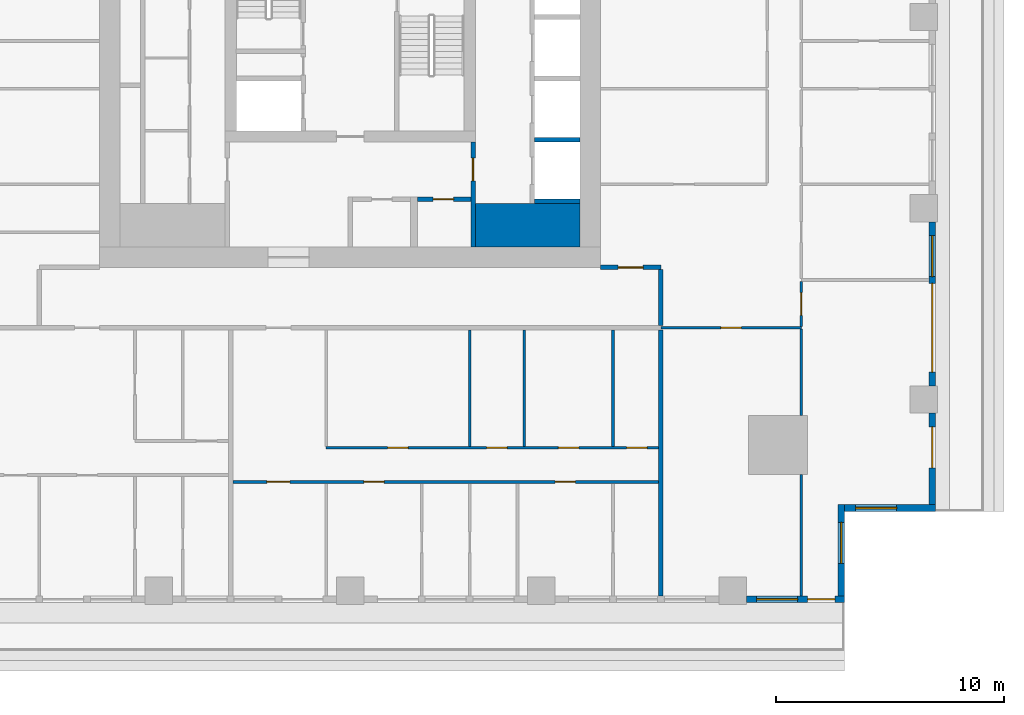
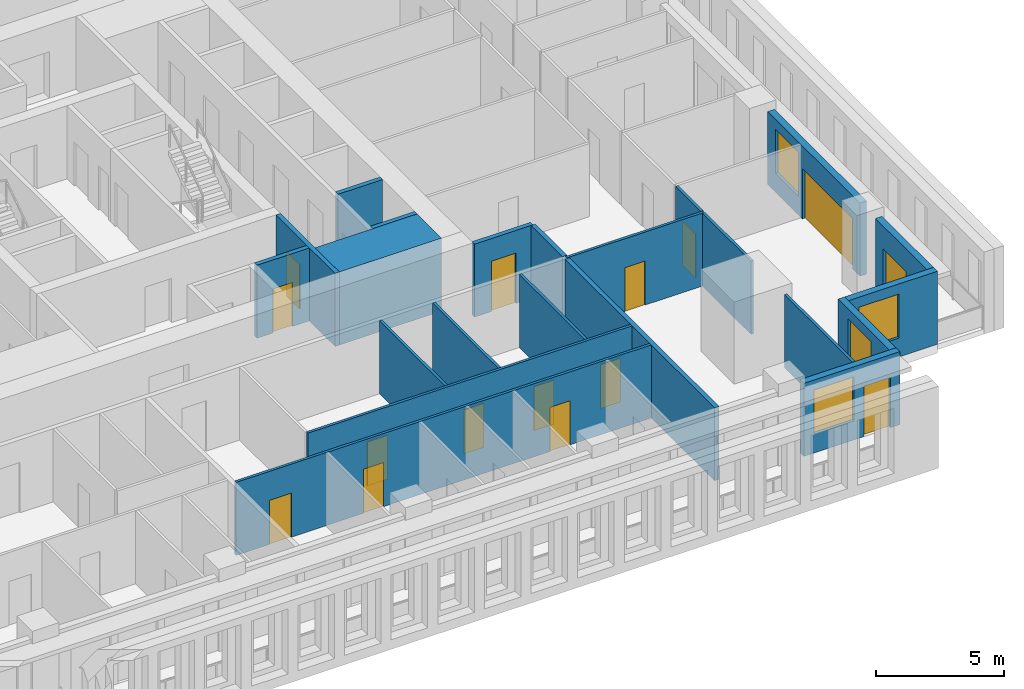
# One storey, part 5 of 16: 22 walls, 15 doors, 4 windows, 19 openings.
"""IFC4 building model written with IfcOpenShell, lengths in metres."""

import ifcopenshell
import ifcopenshell.guid

model = None  # the IFC model being written
_history = None  # IfcOwnerHistory: only IFC2X3 demands one
_inside = {}  # id of a spatial element -> (the spatial element, [elements in it])
_under = {}  # id of a project, library or spatial element -> (it, [spatial elements below it])
_declared = {}  # id of a project -> (the project, [libraries it declares])
_typed = {}  # id of a type object -> (the type object, [elements of that type])
_made_of = {}  # id of a material, layer set ... -> (it, [elements and type objects made of it])


def new_model(schema):
    """Start an empty IFC model of exactly this schema.

    Asked for "IFC4X3", IfcOpenShell would pick the latest addendum, in which some entities
    have other attributes; the version numbers below select the first issue.
    IFC2X3 requires an IfcOwnerHistory on every rooted entity: one is made here for all.
    """
    global model, _history
    if schema == "IFC4X3":
        model = ifcopenshell.file(schema_version=(4, 3, 0, 0))
    else:
        model = ifcopenshell.file(schema=schema)
    _inside.clear()
    _under.clear()
    _declared.clear()
    _typed.clear()
    _made_of.clear()
    _history = None
    if model.schema == "IFC2X3":
        org = make("IfcOrganization", Name="unknown")
        user = make(
            "IfcPersonAndOrganization",
            ThePerson=make("IfcPerson", FamilyName="unknown"),
            TheOrganization=org,
        )
        app = make(
            "IfcApplication",
            ApplicationDeveloper=org,
            Version="unknown",
            ApplicationFullName="unknown",
            ApplicationIdentifier="unknown",
        )
        _history = make(
            "IfcOwnerHistory",
            OwningUser=user,
            OwningApplication=app,
            ChangeAction="ADDED",
            CreationDate=0,
        )
    return model


def make(cls, **values):
    """One entity of the class cls with the attributes given. An attribute that is None is left unset."""
    return model.create_entity(
        cls, **{name: value for name, value in values.items() if value is not None}
    )


def rooted(cls, **values):
    """An entity with a GlobalId (a new one), such as an element, a storey or a relation."""
    return make(cls, GlobalId=ifcopenshell.guid.new(), OwnerHistory=_history, **values)


def si_unit(unit_type, name, prefix=None):
    """IfcSIUnit, for example si_unit("LENGTHUNIT", "METRE", prefix="MILLI")."""
    return make("IfcSIUnit", UnitType=unit_type, Prefix=prefix, Name=name)


def assignment(units):
    """IfcUnitAssignment: the units of a project."""
    return None if units is None else make("IfcUnitAssignment", Units=units)


def point(xyz):
    """IfcCartesianPoint."""
    return None if xyz is None else make("IfcCartesianPoint", Coordinates=xyz)


def direction(xyz):
    """IfcDirection."""
    return None if xyz is None else make("IfcDirection", DirectionRatios=xyz)


def frame(location, z_axis=None, x_axis=None):
    """IfcAxis2Placement3D, a coordinate frame: its origin and axes. An axis left out is left unset."""
    return make(
        "IfcAxis2Placement3D",
        Location=point(location),
        Axis=direction(z_axis),
        RefDirection=direction(x_axis),
    )


def frame_2d(location, x_axis=None):
    """IfcAxis2Placement2D, a coordinate frame in the plane: its origin and x axis."""
    return make(
        "IfcAxis2Placement2D", Location=point(location), RefDirection=direction(x_axis)
    )


def origin():
    """The frame at (0, 0, 0) with its axes left unset."""
    return frame((0.0, 0.0, 0.0))


def place(relative_to, where):
    """IfcLocalPlacement: puts the frame where relative to a parent placement (None: the world)."""
    return make(
        "IfcLocalPlacement", PlacementRelTo=relative_to, RelativePlacement=where
    )


def context(
    kind, dimensions, precision=None, world=None, true_north=None, identifier=None
):
    """IfcGeometricRepresentationContext, for example the 3D "Model" context."""
    return make(
        "IfcGeometricRepresentationContext",
        ContextIdentifier=identifier,
        ContextType=kind,
        CoordinateSpaceDimension=dimensions,
        Precision=precision,
        WorldCoordinateSystem=world,
        TrueNorth=true_north,
    )


def subcontext(parent, identifier, kind, view, scale=None):
    """IfcGeometricRepresentationSubContext, for example "Body" below "Model"."""
    return make(
        "IfcGeometricRepresentationSubContext",
        ContextIdentifier=identifier,
        ContextType=kind,
        ParentContext=parent,
        TargetScale=scale,
        TargetView=view,
    )


def project(units=None, contexts=None):
    """IfcProject with its units and contexts."""
    return rooted(
        "IfcProject",
        Name="project",
        RepresentationContexts=contexts,
        UnitsInContext=assignment(units),
    )


def spatial(cls, under=None, at=None, **own):
    """A site, building, storey or space (cls), placed at a placement, below another one or the project."""
    s = rooted(cls, ObjectPlacement=at, **own)
    if under is not None:
        _under.setdefault(under.id(), (under, []))[1].append(s)
    return s


def profile(cls, at=None, kind="AREA", **sizes):
    """A parametric profile (cls). Its sizes go by their IFC names, for example OverallWidth=200.0."""
    return make(cls, ProfileType=kind, Position=at, **sizes)


def rectangle(**sizes):
    """IfcRectangleProfileDef."""
    return profile("IfcRectangleProfileDef", **sizes)


def extrude(swept, where, along, depth):
    """IfcExtrudedAreaSolid: the profile swept, set in the frame where, extruded along a direction by depth."""
    return make(
        "IfcExtrudedAreaSolid",
        SweptArea=swept,
        Position=where,
        ExtrudedDirection=direction(along),
        Depth=depth,
    )


def shape(context_of_items, identifier, shape_type, items):
    """IfcShapeRepresentation: the items that make up one representation, for example the "Body"."""
    return make(
        "IfcShapeRepresentation",
        ContextOfItems=context_of_items,
        RepresentationIdentifier=identifier,
        RepresentationType=shape_type,
        Items=items,
    )


def material(Name=None, Category=None):
    """IfcMaterial."""
    return make("IfcMaterial", Name=Name, Category=Category)


def layer(
    of_material, thickness, ventilated=None, Name=None, Category=None, Priority=None
):
    """IfcMaterialLayer: one layer of a wall or slab, of a material (None: an air gap)."""
    return make(
        "IfcMaterialLayer",
        Material=of_material,
        LayerThickness=thickness,
        IsVentilated=ventilated,
        Name=Name,
        Category=Category,
        Priority=Priority,
    )


def layer_set(layers, Name=None):
    """IfcMaterialLayerSet."""
    return make("IfcMaterialLayerSet", MaterialLayers=layers, LayerSetName=Name)


def made_of(thing, what):
    """Note that an element or type object is made of a material, layer set ...; save() writes the relation."""
    if what is not None:
        _made_of.setdefault(what.id(), (what, []))[1].append(thing)
    return thing


def type_object(cls, material=None, **own):
    """A type object (cls), such as IfcWallType, which elements share."""
    return made_of(rooted(cls, **own), material)


def element(
    cls,
    number,
    at=None,
    inside=None,
    cuts=None,
    type_object=None,
    material=None,
    context=None,
    identifier="Body",
    shape_type=None,
    held_by="IfcProductDefinitionShape",
    body=None,
    shapes=None,
    **own,
):
    """One element of the class cls, such as IfcWall. Its Tag is "e" and its number.

    at: its placement. inside: the storey or other place that contains it. cuts: it is an
    opening in that element (IfcRelVoidsElement). A single representation is given by context,
    identifier, shape_type and body (its items); several are given by shapes. held_by: the class
    of the entity that holds the representations. save() writes the other relations.
    """
    e = rooted(cls, Tag="e%d" % number, ObjectPlacement=at, **own)
    if body is not None:
        shapes = [shape(context, identifier, shape_type, body)]
    if shapes is not None:
        e.Representation = make(held_by, Representations=shapes)
    if inside is not None:
        _inside.setdefault(inside.id(), (inside, []))[1].append(e)
    if cuts is not None:
        rooted(
            "IfcRelVoidsElement", RelatingBuildingElement=cuts, RelatedOpeningElement=e
        )
    if type_object is not None:
        _typed.setdefault(type_object.id(), (type_object, []))[1].append(e)
    return made_of(e, material)


def fill(opening, filler):
    """IfcRelFillsElement: the door or window that sits in an opening."""
    return rooted(
        "IfcRelFillsElement",
        RelatingOpeningElement=opening,
        RelatedBuildingElement=filler,
    )


def aggregate(whole, parts):
    """IfcRelAggregates: a whole, such as a stair, and the parts it consists of."""
    return rooted("IfcRelAggregates", RelatingObject=whole, RelatedObjects=parts)


def save(model, path):
    """Write the relations noted so far, then the file.

    IfcRelAggregates (storeys below a building ...), IfcRelContainedInSpatialStructure (elements
    in a storey), IfcRelDefinesByType, IfcRelAssociatesMaterial and IfcRelDeclares: one each for
    every whole, place, type object, material and project.
    """
    for whole, parts in _under.values():
        aggregate(whole, parts)
    for where, things in _inside.values():
        rooted(
            "IfcRelContainedInSpatialStructure",
            RelatedElements=things,
            RelatingStructure=where,
        )
    for kind, things in _typed.values():
        rooted("IfcRelDefinesByType", RelatedObjects=things, RelatingType=kind)
    for what, things in _made_of.values():
        rooted("IfcRelAssociatesMaterial", RelatedObjects=things, RelatingMaterial=what)
    for by, libraries in _declared.values():
        rooted("IfcRelDeclares", RelatingContext=by, RelatedDefinitions=libraries)
    model.write(path)


model = new_model("IFC4")

# Units and contexts
model_context = context("Model", 3, precision=1e-05, world=origin(), true_north=direction((0.0, 1.0)))
body_context = subcontext(model_context, "Body", "Model", "MODEL_VIEW")
ifc_project = project(units=[si_unit("LENGTHUNIT", "METRE"), si_unit("AREAUNIT", "SQUARE_METRE"), si_unit("VOLUMEUNIT", "CUBIC_METRE"), si_unit("PLANEANGLEUNIT", "RADIAN"), si_unit("MASSUNIT", "GRAM", prefix="KILO")], contexts=[model_context])

# Site, building, storey
site_placement = place(None, origin())
site = spatial("IfcSite", under=ifc_project, at=site_placement, CompositionType="ELEMENT")
building_placement = place(site_placement, origin())
building = spatial("IfcBuilding", under=site, at=building_placement, Name="Khepri Terraces", CompositionType="ELEMENT")
storey_placement = place(building_placement, frame((0.0, 0.0, 168.89990234375)))
storey = spatial("IfcBuildingStorey", under=building, at=storey_placement, Name="L40", CompositionType="ELEMENT", Elevation=168.89990234375)

# Walls
ifc_material_1 = material(Name="Concrete C60/75", Category="concrete")
ifc_layer_1 = layer(ifc_material_1, 1.89990234375, Name="Concrete C60/75", Category="concrete")
ifc_layer_set_1 = layer_set([ifc_layer_1], Name="Concrete C60/75")
wall_type_1 = type_object("IfcWallType", Name="Core wall 1900 C60/75", PredefinedType="SHEAR", material=ifc_layer_set_1)
wall_1_placement = place(storey_placement, frame((5.5, -9.14990234375, 0.0), z_axis=(0.0, 0.0, 1.0), x_axis=(1.0, 0.0, 0.0)))
element("IfcWall", 1, at=wall_1_placement, inside=storey, type_object=wall_type_1, Name="Core wall PR02 L40", PredefinedType="SHEAR", context=body_context, shape_type="SweptSolid", body=[
    extrude(rectangle(XDim=4.60009765625, YDim=1.89990234375, at=frame_2d((2.300048828125, 0.0))), origin(), (0.0, 0.0, 1.0), 3.47998046875),
])
ifc_layer_2 = layer(ifc_material_1, 0.199951171875, Name="Concrete C60/75", Category="concrete")
ifc_layer_set_2 = layer_set([ifc_layer_2], Name="Concrete C60/75")
wall_type_2 = type_object("IfcWallType", Name="Core wall 200 C60/75", PredefinedType="SHEAR", material=ifc_layer_set_2)
for number, where, z_axis, x_axis, name in (
    (2, (8.10009765625, -8.10009765625, 0.0), (0.0, 0.0, 1.0), (1.0, 0.0, 0.0), "Core wall SH03 L40"),
    (3, (8.10009765625, -5.39990234375, 0.0), (0.0, 0.0, 1.0), (1.0, 0.0, 0.0), "Core wall SH04 L40"),
):
    element("IfcWall", number, at=place(storey_placement, frame(where, z_axis=z_axis, x_axis=x_axis)), inside=storey, type_object=wall_type_2, Name=name, PredefinedType="SHEAR", context=body_context, shape_type="SweptSolid", body=[
        extrude(rectangle(XDim=2.0, YDim=0.199951171875, at=frame_2d((1.0, 0.0))), origin(), (0.0, 0.0, 1.0), 3.47998046875),
    ])

# Wall, opening, door
ifc_material_2 = material(Name="Fire-rated gypsum board partition")
ifc_layer_3 = layer(ifc_material_2, 0.199951171875, Name="Fire-rated gypsum board partition")
ifc_layer_set_3 = layer_set([ifc_layer_3], Name="Fire-rated gypsum board partition")
wall_type_3 = type_object("IfcWallType", Name="WL-CORE-PART-200", PredefinedType="PARTITIONING", material=ifc_layer_set_3)
wall_2_placement = place(storey_placement, frame((5.39990234375, -10.10009765625, 0.0), z_axis=(0.0, 0.0, 1.0), x_axis=(0.0, 1.0, 0.0)))
wall_2 = element("IfcWall", 4, at=wall_2_placement, inside=storey, type_object=wall_type_3, Name="Core partition PT04 L40", PredefinedType="PARTITIONING", context=body_context, shape_type="SweptSolid", body=[
    extrude(rectangle(XDim=4.60009765625, YDim=0.199951171875, at=frame_2d((2.300048828125, 0.0))), origin(), (0.0, 0.0, 1.0), 3.47998046875),
])
opening_1_placement = place(wall_2_placement, frame((2.89990234375, 0.0, 0.0)))
opening_1 = element("IfcOpeningElement", 5, at=opening_1_placement, cuts=wall_2, Name="Opening L40-C19", PredefinedType="OPENING", context=body_context, shape_type="SweptSolid", body=[
    extrude(rectangle(XDim=1.0, YDim=2.10009765625, at=frame_2d((0.5, 1.050048828125))), frame((0.0, 0.10986328125, 0.0), z_axis=(0.0, -1.0, 0.0), x_axis=(1.0, 0.0, 0.0)), (0.0, 0.0, 1.0), 0.219970703125),
])
ifc_material_3 = material(Name="Painted steel", Category="steel")
door_type_1 = type_object("IfcDoorType", Name="DR-CORE-LOBBY-1000", OperationType="NOTDEFINED", PredefinedType="DOOR", material=ifc_material_3)
door_1_placement = place(opening_1_placement, origin())
door_1 = element("IfcDoor", 6, at=door_1_placement, inside=storey, type_object=door_type_1, Name="Lobby door L40-C19", OperationType="SINGLE_SWING_RIGHT", OverallHeight=2.10009765625, OverallWidth=1.0, PredefinedType="DOOR", context=body_context, shape_type="SweptSolid", body=[
    extrude(rectangle(XDim=1.0, YDim=2.10009765625, at=frame_2d((0.5, 1.050048828125))), frame((0.0, 0.02490234375, 0.0), z_axis=(0.0, -1.0, 0.0), x_axis=(1.0, 0.0, 0.0)), (0.0, 0.0, 1.0), 0.050048828125),
])
fill(opening_1, door_1)

wall_3_placement = place(storey_placement, frame((2.949951171875, -8.0, 0.0), z_axis=(0.0, 0.0, 1.0), x_axis=(1.0, 0.0, 0.0)))
wall_3 = element("IfcWall", 7, at=wall_3_placement, inside=storey, type_object=wall_type_3, Name="Core partition PT07 L40", PredefinedType="PARTITIONING", context=body_context, shape_type="SweptSolid", body=[
    extrude(rectangle(XDim=2.35009765625, YDim=0.199951171875, at=frame_2d((1.175048828125, 0.0))), origin(), (0.0, 0.0, 1.0), 3.47998046875),
])
opening_2_placement = place(wall_3_placement, frame((0.699951171875, 0.0, 0.0)))
opening_2 = element("IfcOpeningElement", 8, at=opening_2_placement, cuts=wall_3, Name="Opening L40-C23", PredefinedType="OPENING", context=body_context, shape_type="SweptSolid", body=[
    extrude(rectangle(XDim=0.89990234375, YDim=2.10009765625, at=frame_2d((0.449951171875, 1.050048828125))), frame((0.0, 0.10986328125, 0.0), z_axis=(0.0, -1.0, 0.0), x_axis=(1.0, 0.0, 0.0)), (0.0, 0.0, 1.0), 0.219970703125),
])
door_type_2 = type_object("IfcDoorType", Name="DR-CORE-SERVICE-900", OperationType="NOTDEFINED", PredefinedType="DOOR", material=ifc_material_3)
door_2_placement = place(opening_2_placement, frame((0.89990234375, 0.0, 0.0), z_axis=(0.0, 0.0, 1.0), x_axis=(-1.0, 0.0, 0.0)))
door_2 = element("IfcDoor", 9, at=door_2_placement, inside=storey, type_object=door_type_2, Name="Service room door L40-C23", OperationType="SINGLE_SWING_RIGHT", OverallHeight=2.10009765625, OverallWidth=0.89990234375, PredefinedType="DOOR", context=body_context, shape_type="SweptSolid", body=[
    extrude(rectangle(XDim=0.89990234375, YDim=2.10009765625, at=frame_2d((0.449951171875, 1.050048828125))), frame((0.0, 0.02490234375, 0.0), z_axis=(0.0, -1.0, 0.0), x_axis=(1.0, 0.0, 0.0)), (0.0, 0.0, 1.0), 0.050048828125),
])
fill(opening_2, door_2)

# Walls
ifc_material_4 = material(Name="Fire-rated gypsum plasterboard partition, mineral wool")
ifc_layer_4 = layer(ifc_material_4, 0.199951171875, Name="Fire-rated gypsum plasterboard partition, mineral wool")
ifc_layer_set_4 = layer_set([ifc_layer_4], Name="Fire-rated gypsum plasterboard partition, mineral wool")
wall_type_4 = type_object("IfcWallType", Name="WL-CORR-200", PredefinedType="PARTITIONING", material=ifc_layer_set_4)
wall_4_placement = place(storey_placement, frame((13.64990234375, -25.419921875, 0.0), z_axis=(0.0, 0.0, 1.0), x_axis=(0.0, 1.0, 0.0)))
element("IfcWall", 10, at=wall_4_placement, inside=storey, type_object=wall_type_4, Name="Partition P-010 L40", PredefinedType="PARTITIONING", context=body_context, shape_type="SweptSolid", body=[
    extrude(rectangle(XDim=11.669921875, YDim=0.199951171875, at=frame_2d((5.8349609375, 0.0))), origin(), (0.0, 0.0, 1.0), 3.47998046875),
])
wall_5_placement = place(storey_placement, frame((13.64990234375, -13.550048828125, 0.0), z_axis=(0.0, 0.0, 1.0), x_axis=(0.0, 1.0, 0.0)))
element("IfcWall", 11, at=wall_5_placement, inside=storey, type_object=wall_type_4, Name="Partition P-030 L40", PredefinedType="PARTITIONING", context=body_context, shape_type="SweptSolid", body=[
    extrude(rectangle(XDim=2.449951171875, YDim=0.199951171875, at=frame_2d((1.22509765625, 0.0))), origin(), (0.0, 0.0, 1.0), 3.47998046875),
])

# Wall, opening, door
wall_6_placement = place(storey_placement, frame((11.0, -11.0, 0.0), z_axis=(0.0, 0.0, 1.0), x_axis=(1.0, 0.0, 0.0)))
wall_6 = element("IfcWall", 12, at=wall_6_placement, inside=storey, type_object=wall_type_4, Name="Partition P-036 L40", PredefinedType="PARTITIONING", context=body_context, shape_type="SweptSolid", body=[
    extrude(rectangle(XDim=2.64990234375, YDim=0.199951171875, at=frame_2d((1.324951171875, 0.0))), origin(), (0.0, 0.0, 1.0), 3.47998046875),
])
opening_3_placement = place(wall_6_placement, frame((0.77490234375, 0.0, 0.0)))
opening_3 = element("IfcOpeningElement", 13, at=opening_3_placement, cuts=wall_6, Name="Opening D1", PredefinedType="OPENING", context=body_context, shape_type="SweptSolid", body=[
    extrude(rectangle(XDim=1.10009765625, YDim=2.39990234375, at=frame_2d((0.550048828125, 1.199951171875))), frame((0.0, 0.10986328125, 0.0), z_axis=(0.0, -1.0, 0.0), x_axis=(1.0, 0.0, 0.0)), (0.0, 0.0, 1.0), 0.219970703125),
])
ifc_material_5 = material(Name="Solid-core timber door leaf, flat entrance door", Category="wood")
door_type_3 = type_object("IfcDoorType", Name="DR-ENT-1100", OperationType="NOTDEFINED", PredefinedType="DOOR", material=ifc_material_5)
door_3_placement = place(opening_3_placement, origin())
door_3 = element("IfcDoor", 14, at=door_3_placement, inside=storey, type_object=door_type_3, Name="Flat B1 entrance door", OperationType="SINGLE_SWING_LEFT", OverallHeight=2.39990234375, OverallWidth=1.10009765625, PredefinedType="DOOR", context=body_context, shape_type="SweptSolid", body=[
    extrude(rectangle(XDim=1.10009765625, YDim=2.39990234375, at=frame_2d((0.550048828125, 1.199951171875))), frame((0.0, 0.02490234375, 0.0), z_axis=(0.0, -1.0, 0.0), x_axis=(1.0, 0.0, 0.0)), (0.0, 0.0, 1.0), 0.050048828125),
])
fill(opening_3, door_3)

# Wall, opening, window
ifc_material_6 = material(Name="Precast concrete C50/60 warm stone", Category="masonry")
ifc_layer_5 = layer(ifc_material_6, 0.300048828125, Name="Precast concrete C50/60 warm stone", Category="masonry")
ifc_layer_set_5 = layer_set([ifc_layer_5], Name="Precast concrete C50/60 warm stone")
wall_type_5 = type_object("IfcWallType", Name="WL-EXT-PRECAST-300", PredefinedType="STANDARD", material=ifc_layer_set_5)
wall_7_placement = place(storey_placement, frame((21.719970703125, -21.570068359375, 0.0), z_axis=(0.0, 0.0, 1.0), x_axis=(1.0, 0.0, 0.0)))
wall_7 = element("IfcWall", 15, at=wall_7_placement, inside=storey, type_object=wall_type_5, Name="External wall L40 S", PredefinedType="STANDARD", context=body_context, shape_type="SweptSolid", body=[
    extrude(rectangle(XDim=4.0, YDim=0.300048828125, at=frame_2d((2.0, 0.0))), origin(), (0.0, 0.0, 1.0), 3.47998046875),
])
opening_4_placement = place(wall_7_placement, frame((0.47998046875, 0.0, 0.89990234375)))
opening_4 = element("IfcOpeningElement", 16, at=opening_4_placement, cuts=wall_7, Name="Opening W1", PredefinedType="OPENING", context=body_context, shape_type="SweptSolid", body=[
    extrude(rectangle(XDim=1.800048828125, YDim=2.10009765625, at=frame_2d((0.89990234375, 1.050048828125))), frame((0.0, 0.16015625, 0.0), z_axis=(0.0, -1.0, 0.0), x_axis=(1.0, 0.0, 0.0)), (0.0, 0.0, 1.0), 0.320068359375),
])
ifc_material_7 = material(Name="Clear glass", Category="glass")
window_type = type_object("IfcWindowType", Name="WIN-RES-1800x2100", PartitioningType="SINGLE_PANEL", PredefinedType="WINDOW", material=ifc_material_7)
window_1_placement = place(opening_4_placement, origin())
window_1 = element("IfcWindow", 17, at=window_1_placement, inside=storey, type_object=window_type, Name="Window L40 S", OverallHeight=2.10009765625, OverallWidth=1.800048828125, PartitioningType="SINGLE_PANEL", PredefinedType="WINDOW", context=body_context, shape_type="SweptSolid", body=[
    extrude(rectangle(XDim=1.800048828125, YDim=2.10009765625, at=frame_2d((0.89990234375, 1.050048828125))), frame((0.0, 0.030029296875, 0.0), z_axis=(0.0, -1.0, 0.0), x_axis=(1.0, 0.0, 0.0)), (0.0, 0.0, 1.0), 0.06005859375),
])
fill(opening_4, window_1)

# Wall, opening, door
wall_8_placement = place(storey_placement, frame((25.570068359375, -21.419921875, 0.0), z_axis=(0.0, 0.0, 1.0), x_axis=(0.0, 1.0, 0.0)))
wall_8 = element("IfcWall", 18, at=wall_8_placement, inside=storey, type_object=wall_type_5, Name="External wall L40 E", PredefinedType="STANDARD", context=body_context, shape_type="SweptSolid", body=[
    extrude(rectangle(XDim=4.02001953125, YDim=0.300048828125, at=frame_2d((2.010009765625, 0.0))), origin(), (0.0, 0.0, 1.0), 3.47998046875),
])
opening_5_placement = place(wall_8_placement, frame((1.6201171875, 0.0, 0.0)))
opening_5 = element("IfcOpeningElement", 19, at=opening_5_placement, cuts=wall_8, Name="Opening ED-L40-01", PredefinedType="OPENING", context=body_context, shape_type="SweptSolid", body=[
    extrude(rectangle(XDim=1.800048828125, YDim=2.39990234375, at=frame_2d((0.89990234375, 1.199951171875))), frame((0.0, 0.16015625, 0.0), z_axis=(0.0, -1.0, 0.0), x_axis=(1.0, 0.0, 0.0)), (0.0, 0.0, 1.0), 0.320068359375),
])
ifc_material_8 = material(Name="Anodised aluminium bronze glazed door", Category="aluminium")
door_type_4 = type_object("IfcDoorType", Name="DR-BAL-SLIDE-1800x2400", OperationType="NOTDEFINED", PredefinedType="DOOR", material=ifc_material_8)
door_4_placement = place(opening_5_placement, origin())
door_4 = element("IfcDoor", 20, at=door_4_placement, inside=storey, type_object=door_type_4, Name="Balcony door L40 E", OperationType="SLIDING_TO_RIGHT", OverallHeight=2.39990234375, OverallWidth=1.800048828125, PredefinedType="DOOR", context=body_context, shape_type="SweptSolid", body=[
    extrude(rectangle(XDim=1.800048828125, YDim=2.39990234375, at=frame_2d((0.89990234375, 1.199951171875))), frame((0.0, 0.02490234375, 0.0), z_axis=(0.0, -1.0, 0.0), x_axis=(1.0, 0.0, 0.0)), (0.0, 0.0, 1.0), 0.050048828125),
])
fill(opening_5, door_4)

# Wall, openings, door, window
wall_9_placement = place(storey_placement, frame((25.570068359375, -16.199951171875, 0.0), z_axis=(0.0, 0.0, 1.0), x_axis=(0.0, 1.0, 0.0)))
wall_9 = element("IfcWall", 21, at=wall_9_placement, inside=storey, type_object=wall_type_5, Name="External wall L40 E", PredefinedType="STANDARD", context=body_context, shape_type="SweptSolid", body=[
    extrude(rectangle(XDim=7.199951171875, YDim=0.300048828125, at=frame_2d((3.60009765625, 0.0))), origin(), (0.0, 0.0, 1.0), 3.47998046875),
])
opening_6_placement = place(wall_9_placement, frame((0.60009765625, 0.0, 0.0)))
opening_6 = element("IfcOpeningElement", 22, at=opening_6_placement, cuts=wall_9, Name="Opening ED-L40-02", PredefinedType="OPENING", context=body_context, shape_type="SweptSolid", body=[
    extrude(rectangle(XDim=3.89990234375, YDim=2.39990234375, at=frame_2d((1.949951171875, 1.199951171875))), frame((0.0, 0.16015625, 0.0), z_axis=(0.0, -1.0, 0.0), x_axis=(1.0, 0.0, 0.0)), (0.0, 0.0, 1.0), 0.320068359375),
])
opening_7_placement = place(wall_9_placement, frame((4.800048828125, 0.0, 0.89990234375)))
opening_7 = element("IfcOpeningElement", 23, at=opening_7_placement, cuts=wall_9, Name="Opening W1", PredefinedType="OPENING", context=body_context, shape_type="SweptSolid", body=[
    extrude(rectangle(XDim=1.800048828125, YDim=2.10009765625, at=frame_2d((0.89990234375, 1.050048828125))), frame((0.0, 0.16015625, 0.0), z_axis=(0.0, -1.0, 0.0), x_axis=(1.0, 0.0, 0.0)), (0.0, 0.0, 1.0), 0.320068359375),
])
door_type_5 = type_object("IfcDoorType", Name="DR-BAL-SLIDE-3900x2400", OperationType="NOTDEFINED", PredefinedType="DOOR", material=ifc_material_8)
door_5_placement = place(opening_6_placement, origin())
door_5 = element("IfcDoor", 24, at=door_5_placement, inside=storey, type_object=door_type_5, Name="Balcony door L40 E", OperationType="SLIDING_TO_LEFT", OverallHeight=2.39990234375, OverallWidth=3.89990234375, PredefinedType="DOOR", context=body_context, shape_type="SweptSolid", body=[
    extrude(rectangle(XDim=3.89990234375, YDim=2.39990234375, at=frame_2d((1.949951171875, 1.199951171875))), frame((0.0, 0.02490234375, 0.0), z_axis=(0.0, -1.0, 0.0), x_axis=(1.0, 0.0, 0.0)), (0.0, 0.0, 1.0), 0.050048828125),
])
fill(opening_6, door_5)
window_2_placement = place(opening_7_placement, origin())
window_2 = element("IfcWindow", 25, at=window_2_placement, inside=storey, type_object=window_type, Name="Window L40 E", OverallHeight=2.10009765625, OverallWidth=1.800048828125, PartitioningType="SINGLE_PANEL", PredefinedType="WINDOW", context=body_context, shape_type="SweptSolid", body=[
    extrude(rectangle(XDim=1.800048828125, YDim=2.10009765625, at=frame_2d((0.89990234375, 1.050048828125))), frame((0.0, 0.030029296875, 0.0), z_axis=(0.0, -1.0, 0.0), x_axis=(1.0, 0.0, 0.0)), (0.0, 0.0, 1.0), 0.06005859375),
])
fill(opening_7, window_2)

wall_10_placement = place(storey_placement, frame((17.39990234375, -25.570068359375, 0.0), z_axis=(0.0, 0.0, 1.0), x_axis=(1.0, 0.0, 0.0)))
wall_10 = element("IfcWall", 26, at=wall_10_placement, inside=storey, type_object=wall_type_5, Name="External wall L40 S", PredefinedType="STANDARD", context=body_context, shape_type="SweptSolid", body=[
    extrude(rectangle(XDim=4.320068359375, YDim=0.300048828125, at=frame_2d((2.16015625, 0.0))), origin(), (0.0, 0.0, 1.0), 3.47998046875),
])
opening_8_placement = place(wall_10_placement, frame((2.695068359375, 0.0, 0.0)))
opening_8 = element("IfcOpeningElement", 27, at=opening_8_placement, cuts=wall_10, Name="Opening ED-L40-15", PredefinedType="OPENING", context=body_context, shape_type="SweptSolid", body=[
    extrude(rectangle(XDim=1.199951171875, YDim=2.39990234375, at=frame_2d((0.60009765625, 1.199951171875))), frame((0.0, 0.16015625, 0.0), z_axis=(0.0, -1.0, 0.0), x_axis=(1.0, 0.0, 0.0)), (0.0, 0.0, 1.0), 0.320068359375),
])
opening_9_placement = place(wall_10_placement, frame((0.4599609375, 0.0, 0.89990234375)))
opening_9 = element("IfcOpeningElement", 28, at=opening_9_placement, cuts=wall_10, Name="Opening W1", PredefinedType="OPENING", context=body_context, shape_type="SweptSolid", body=[
    extrude(rectangle(XDim=1.800048828125, YDim=2.10009765625, at=frame_2d((0.89990234375, 1.050048828125))), frame((0.0, 0.16015625, 0.0), z_axis=(0.0, -1.0, 0.0), x_axis=(1.0, 0.0, 0.0)), (0.0, 0.0, 1.0), 0.320068359375),
])
door_type_6 = type_object("IfcDoorType", Name="DR-BAL-SLIDE-1200x2400", OperationType="NOTDEFINED", PredefinedType="DOOR", material=ifc_material_8)
door_6_placement = place(opening_8_placement, origin())
door_6 = element("IfcDoor", 29, at=door_6_placement, inside=storey, type_object=door_type_6, Name="Balcony door L40 S", OperationType="SLIDING_TO_LEFT", OverallHeight=2.39990234375, OverallWidth=1.199951171875, PredefinedType="DOOR", context=body_context, shape_type="SweptSolid", body=[
    extrude(rectangle(XDim=1.199951171875, YDim=2.39990234375, at=frame_2d((0.60009765625, 1.199951171875))), frame((0.0, 0.02490234375, 0.0), z_axis=(0.0, -1.0, 0.0), x_axis=(1.0, 0.0, 0.0)), (0.0, 0.0, 1.0), 0.050048828125),
])
fill(opening_8, door_6)
window_3_placement = place(opening_9_placement, origin())
window_3 = element("IfcWindow", 30, at=window_3_placement, inside=storey, type_object=window_type, Name="Window L40 S", OverallHeight=2.10009765625, OverallWidth=1.800048828125, PartitioningType="SINGLE_PANEL", PredefinedType="WINDOW", context=body_context, shape_type="SweptSolid", body=[
    extrude(rectangle(XDim=1.800048828125, YDim=2.10009765625, at=frame_2d((0.89990234375, 1.050048828125))), frame((0.0, 0.030029296875, 0.0), z_axis=(0.0, -1.0, 0.0), x_axis=(1.0, 0.0, 0.0)), (0.0, 0.0, 1.0), 0.06005859375),
])
fill(opening_9, window_3)

# Wall, opening, window
wall_11_placement = place(storey_placement, frame((21.570068359375, -25.419921875, 0.0), z_axis=(0.0, 0.0, 1.0), x_axis=(0.0, 1.0, 0.0)))
wall_11 = element("IfcWall", 31, at=wall_11_placement, inside=storey, type_object=wall_type_5, Name="External wall L40 E", PredefinedType="STANDARD", context=body_context, shape_type="SweptSolid", body=[
    extrude(rectangle(XDim=4.0, YDim=0.300048828125, at=frame_2d((2.0, 0.0))), origin(), (0.0, 0.0, 1.0), 3.47998046875),
])
opening_10_placement = place(wall_11_placement, frame((1.419921875, 0.0, 0.89990234375)))
opening_10 = element("IfcOpeningElement", 32, at=opening_10_placement, cuts=wall_11, Name="Opening W1", PredefinedType="OPENING", context=body_context, shape_type="SweptSolid", body=[
    extrude(rectangle(XDim=1.800048828125, YDim=2.10009765625, at=frame_2d((0.89990234375, 1.050048828125))), frame((0.0, 0.16015625, 0.0), z_axis=(0.0, -1.0, 0.0), x_axis=(1.0, 0.0, 0.0)), (0.0, 0.0, 1.0), 0.320068359375),
])
window_4_placement = place(opening_10_placement, origin())
window_4 = element("IfcWindow", 33, at=window_4_placement, inside=storey, type_object=window_type, Name="Window L40 E", OverallHeight=2.10009765625, OverallWidth=1.800048828125, PartitioningType="SINGLE_PANEL", PredefinedType="WINDOW", context=body_context, shape_type="SweptSolid", body=[
    extrude(rectangle(XDim=1.800048828125, YDim=2.10009765625, at=frame_2d((0.89990234375, 1.050048828125))), frame((0.0, 0.030029296875, 0.0), z_axis=(0.0, -1.0, 0.0), x_axis=(1.0, 0.0, 0.0)), (0.0, 0.0, 1.0), 0.06005859375),
])
fill(opening_10, window_4)

# Wall
ifc_material_9 = material(Name="Gypsum plasterboard partition")
ifc_layer_6 = layer(ifc_material_9, 0.1201171875, Name="Gypsum plasterboard partition")
ifc_layer_set_6 = layer_set([ifc_layer_6], Name="Gypsum plasterboard partition")
wall_type_6 = type_object("IfcWallType", Name="WL-PART-120", PredefinedType="PARTITIONING", material=ifc_layer_set_6)
wall_12_placement = place(storey_placement, frame((19.820068359375, -25.419921875, 0.0), z_axis=(0.0, 0.0, 1.0), x_axis=(0.0, 1.0, 0.0)))
element("IfcWall", 34, at=wall_12_placement, inside=storey, type_object=wall_type_6, Name="Partition P-011 L40", PredefinedType="PARTITIONING", context=body_context, shape_type="SweptSolid", body=[
    extrude(rectangle(XDim=5.31982421875, YDim=0.1201171875, at=frame_2d((2.659912109375, 0.0))), origin(), (0.0, 0.0, 1.0), 3.47998046875),
])

# Wall, openings, doors
wall_13_placement = place(storey_placement, frame((-5.14990234375, -20.419921875, 0.0), z_axis=(0.0, 0.0, 1.0), x_axis=(1.0, 0.0, 0.0)))
wall_13 = element("IfcWall", 35, at=wall_13_placement, inside=storey, type_object=wall_type_6, Name="Partition P-012 L40", PredefinedType="PARTITIONING", context=body_context, shape_type="SweptSolid", body=[
    extrude(rectangle(XDim=18.699951171875, YDim=0.1201171875, at=frame_2d((9.35009765625, 0.0))), origin(), (0.0, 0.0, 1.0), 3.47998046875),
])
opening_11_placement = place(wall_13_placement, frame((1.5, 0.0, 0.0)))
opening_11 = element("IfcOpeningElement", 36, at=opening_11_placement, cuts=wall_13, Name="Opening D2", PredefinedType="OPENING", context=body_context, shape_type="SweptSolid", body=[
    extrude(rectangle(XDim=1.0, YDim=2.10009765625, at=frame_2d((0.5, 1.050048828125))), frame((0.0, 0.070068359375, 0.0), z_axis=(0.0, -1.0, 0.0), x_axis=(1.0, 0.0, 0.0)), (0.0, 0.0, 1.0), 0.14013671875),
])
opening_12_placement = place(wall_13_placement, frame((5.75, 0.0, 0.0)))
opening_12 = element("IfcOpeningElement", 37, at=opening_12_placement, cuts=wall_13, Name="Opening D3", PredefinedType="OPENING", context=body_context, shape_type="SweptSolid", body=[
    extrude(rectangle(XDim=0.89990234375, YDim=2.10009765625, at=frame_2d((0.449951171875, 1.050048828125))), frame((0.0, 0.070068359375, 0.0), z_axis=(0.0, -1.0, 0.0), x_axis=(1.0, 0.0, 0.0)), (0.0, 0.0, 1.0), 0.14013671875),
])
opening_13_placement = place(wall_13_placement, frame((14.14990234375, 0.0, 0.0)))
opening_13 = element("IfcOpeningElement", 38, at=opening_13_placement, cuts=wall_13, Name="Opening D3", PredefinedType="OPENING", context=body_context, shape_type="SweptSolid", body=[
    extrude(rectangle(XDim=0.89990234375, YDim=2.10009765625, at=frame_2d((0.449951171875, 1.050048828125))), frame((0.0, 0.070068359375, 0.0), z_axis=(0.0, -1.0, 0.0), x_axis=(1.0, 0.0, 0.0)), (0.0, 0.0, 1.0), 0.14013671875),
])
ifc_material_10 = material(Name="Timber door leaf, living room door", Category="wood")
door_type_7 = type_object("IfcDoorType", Name="DR-INT-1000", OperationType="NOTDEFINED", PredefinedType="DOOR", material=ifc_material_10)
door_7_placement = place(opening_11_placement, frame((1.0, 0.0, 0.0), z_axis=(0.0, 0.0, 1.0), x_axis=(-1.0, 0.0, 0.0)))
door_7 = element("IfcDoor", 39, at=door_7_placement, inside=storey, type_object=door_type_7, Name="Door Sun Lounge", OperationType="SINGLE_SWING_RIGHT", OverallHeight=2.10009765625, OverallWidth=1.0, PredefinedType="DOOR", context=body_context, shape_type="SweptSolid", body=[
    extrude(rectangle(XDim=1.0, YDim=2.10009765625, at=frame_2d((0.5, 1.050048828125))), frame((0.0, 0.02490234375, 0.0), z_axis=(0.0, -1.0, 0.0), x_axis=(1.0, 0.0, 0.0)), (0.0, 0.0, 1.0), 0.050048828125),
])
fill(opening_11, door_7)
ifc_material_11 = material(Name="Timber door leaf", Category="wood")
door_type_8 = type_object("IfcDoorType", Name="DR-INT-900", OperationType="NOTDEFINED", PredefinedType="DOOR", material=ifc_material_11)
door_8_placement = place(opening_12_placement, frame((0.89990234375, 0.0, 0.0), z_axis=(0.0, 0.0, 1.0), x_axis=(-1.0, 0.0, 0.0)))
door_8 = element("IfcDoor", 40, at=door_8_placement, inside=storey, type_object=door_type_8, Name="Door Master Bedroom", OperationType="SINGLE_SWING_RIGHT", OverallHeight=2.10009765625, OverallWidth=0.89990234375, PredefinedType="DOOR", context=body_context, shape_type="SweptSolid", body=[
    extrude(rectangle(XDim=0.89990234375, YDim=2.10009765625, at=frame_2d((0.449951171875, 1.050048828125))), frame((0.0, 0.02490234375, 0.0), z_axis=(0.0, -1.0, 0.0), x_axis=(1.0, 0.0, 0.0)), (0.0, 0.0, 1.0), 0.050048828125),
])
fill(opening_12, door_8)
door_9_placement = place(opening_13_placement, frame((0.89990234375, 0.0, 0.0), z_axis=(0.0, 0.0, 1.0), x_axis=(-1.0, 0.0, 0.0)))
door_9 = element("IfcDoor", 41, at=door_9_placement, inside=storey, type_object=door_type_8, Name="Door Bedroom", OperationType="SINGLE_SWING_LEFT", OverallHeight=2.10009765625, OverallWidth=0.89990234375, PredefinedType="DOOR", context=body_context, shape_type="SweptSolid", body=[
    extrude(rectangle(XDim=0.89990234375, YDim=2.10009765625, at=frame_2d((0.449951171875, 1.050048828125))), frame((0.0, 0.02490234375, 0.0), z_axis=(0.0, -1.0, 0.0), x_axis=(1.0, 0.0, 0.0)), (0.0, 0.0, 1.0), 0.050048828125),
])
fill(opening_13, door_9)

wall_14_placement = place(storey_placement, frame((-1.050048828125, -18.919921875, 0.0), z_axis=(0.0, 0.0, 1.0), x_axis=(1.0, 0.0, 0.0)))
wall_14 = element("IfcWall", 42, at=wall_14_placement, inside=storey, type_object=wall_type_6, Name="Partition P-015 L40", PredefinedType="PARTITIONING", context=body_context, shape_type="SweptSolid", body=[
    extrude(rectangle(XDim=14.60009765625, YDim=0.1201171875, at=frame_2d((7.300048828125, 0.0))), origin(), (0.0, 0.0, 1.0), 3.47998046875),
])
opening_14_placement = place(wall_14_placement, frame((2.699951171875, 0.0, 0.0)))
opening_14 = element("IfcOpeningElement", 43, at=opening_14_placement, cuts=wall_14, Name="Opening D3", PredefinedType="OPENING", context=body_context, shape_type="SweptSolid", body=[
    extrude(rectangle(XDim=0.89990234375, YDim=2.10009765625, at=frame_2d((0.449951171875, 1.050048828125))), frame((0.0, 0.070068359375, 0.0), z_axis=(0.0, -1.0, 0.0), x_axis=(1.0, 0.0, 0.0)), (0.0, 0.0, 1.0), 0.14013671875),
])
opening_15_placement = place(wall_14_placement, frame((7.050048828125, 0.0, 0.0)))
opening_15 = element("IfcOpeningElement", 44, at=opening_15_placement, cuts=wall_14, Name="Opening D4", PredefinedType="OPENING", context=body_context, shape_type="SweptSolid", body=[
    extrude(rectangle(XDim=0.89990234375, YDim=2.10009765625, at=frame_2d((0.449951171875, 1.050048828125))), frame((0.0, 0.070068359375, 0.0), z_axis=(0.0, -1.0, 0.0), x_axis=(1.0, 0.0, 0.0)), (0.0, 0.0, 1.0), 0.14013671875),
])
opening_16_placement = place(wall_14_placement, frame((10.199951171875, 0.0, 0.0)))
opening_16 = element("IfcOpeningElement", 45, at=opening_16_placement, cuts=wall_14, Name="Opening D4", PredefinedType="OPENING", context=body_context, shape_type="SweptSolid", body=[
    extrude(rectangle(XDim=0.89990234375, YDim=2.10009765625, at=frame_2d((0.449951171875, 1.050048828125))), frame((0.0, 0.070068359375, 0.0), z_axis=(0.0, -1.0, 0.0), x_axis=(1.0, 0.0, 0.0)), (0.0, 0.0, 1.0), 0.14013671875),
])
opening_17_placement = place(wall_14_placement, frame((13.199951171875, 0.0, 0.0)))
opening_17 = element("IfcOpeningElement", 46, at=opening_17_placement, cuts=wall_14, Name="Opening D3", PredefinedType="OPENING", context=body_context, shape_type="SweptSolid", body=[
    extrude(rectangle(XDim=0.89990234375, YDim=2.10009765625, at=frame_2d((0.449951171875, 1.050048828125))), frame((0.0, 0.070068359375, 0.0), z_axis=(0.0, -1.0, 0.0), x_axis=(1.0, 0.0, 0.0)), (0.0, 0.0, 1.0), 0.14013671875),
])
door_10_placement = place(opening_14_placement, origin())
door_10 = element("IfcDoor", 47, at=door_10_placement, inside=storey, type_object=door_type_8, Name="Door Kitchen", OperationType="SINGLE_SWING_LEFT", OverallHeight=2.10009765625, OverallWidth=0.89990234375, PredefinedType="DOOR", context=body_context, shape_type="SweptSolid", body=[
    extrude(rectangle(XDim=0.89990234375, YDim=2.10009765625, at=frame_2d((0.449951171875, 1.050048828125))), frame((0.0, 0.02490234375, 0.0), z_axis=(0.0, -1.0, 0.0), x_axis=(1.0, 0.0, 0.0)), (0.0, 0.0, 1.0), 0.050048828125),
])
fill(opening_14, door_10)
door_11_placement = place(opening_17_placement, origin())
door_11 = element("IfcDoor", 48, at=door_11_placement, inside=storey, type_object=door_type_8, Name="Door Utility Room", OperationType="SINGLE_SWING_RIGHT", OverallHeight=2.10009765625, OverallWidth=0.89990234375, PredefinedType="DOOR", context=body_context, shape_type="SweptSolid", body=[
    extrude(rectangle(XDim=0.89990234375, YDim=2.10009765625, at=frame_2d((0.449951171875, 1.050048828125))), frame((0.0, 0.02490234375, 0.0), z_axis=(0.0, -1.0, 0.0), x_axis=(1.0, 0.0, 0.0)), (0.0, 0.0, 1.0), 0.050048828125),
])
fill(opening_17, door_11)
ifc_material_12 = material(Name="Timber door leaf, moisture resistant", Category="wood")
door_type_9 = type_object("IfcDoorType", Name="DR-WET-900", OperationType="NOTDEFINED", PredefinedType="DOOR", material=ifc_material_12)
door_12_placement = place(opening_15_placement, origin())
door_12 = element("IfcDoor", 49, at=door_12_placement, inside=storey, type_object=door_type_9, Name="Door Powder Room", OperationType="SINGLE_SWING_RIGHT", OverallHeight=2.10009765625, OverallWidth=0.89990234375, PredefinedType="DOOR", context=body_context, shape_type="SweptSolid", body=[
    extrude(rectangle(XDim=0.89990234375, YDim=2.10009765625, at=frame_2d((0.449951171875, 1.050048828125))), frame((0.0, 0.02490234375, 0.0), z_axis=(0.0, -1.0, 0.0), x_axis=(1.0, 0.0, 0.0)), (0.0, 0.0, 1.0), 0.050048828125),
])
fill(opening_15, door_12)
door_13_placement = place(opening_16_placement, origin())
door_13 = element("IfcDoor", 50, at=door_13_placement, inside=storey, type_object=door_type_9, Name="Door Guest Bathroom", OperationType="SINGLE_SWING_RIGHT", OverallHeight=2.10009765625, OverallWidth=0.89990234375, PredefinedType="DOOR", context=body_context, shape_type="SweptSolid", body=[
    extrude(rectangle(XDim=0.89990234375, YDim=2.10009765625, at=frame_2d((0.449951171875, 1.050048828125))), frame((0.0, 0.02490234375, 0.0), z_axis=(0.0, -1.0, 0.0), x_axis=(1.0, 0.0, 0.0)), (0.0, 0.0, 1.0), 0.050048828125),
])
fill(opening_16, door_13)

# Walls
for number, where, z_axis, x_axis, name in (
    (51, (5.25, -18.860107421875, 0.0), (0.0, 0.0, 1.0), (0.0, 1.0, 0.0), "Partition P-017 L40"),
    (52, (7.64990234375, -18.860107421875, 0.0), (0.0, 0.0, 1.0), (0.0, 1.0, 0.0), "Partition P-018 L40"),
    (53, (11.550048828125, -18.860107421875, 0.0), (0.0, 0.0, 1.0), (0.0, 1.0, 0.0), "Partition P-019 L40"),
):
    element("IfcWall", number, at=place(storey_placement, frame(where, z_axis=z_axis, x_axis=x_axis)), inside=storey, type_object=wall_type_6, Name=name, PredefinedType="PARTITIONING", context=body_context, shape_type="SweptSolid", body=[
        extrude(rectangle(XDim=5.110107421875, YDim=0.1201171875, at=frame_2d((2.55517578125, 0.0))), origin(), (0.0, 0.0, 1.0), 3.47998046875),
    ])
wall_15_placement = place(storey_placement, frame((19.820068359375, -17.5, 0.0), z_axis=(0.0, 0.0, 1.0), x_axis=(0.0, 1.0, 0.0)))
element("IfcWall", 54, at=wall_15_placement, inside=storey, type_object=wall_type_6, Name="Partition P-023 L40", PredefinedType="PARTITIONING", context=body_context, shape_type="SweptSolid", body=[
    extrude(rectangle(XDim=3.7900390625, YDim=0.1201171875, at=frame_2d((1.89501953125, 0.0))), origin(), (0.0, 0.0, 1.0), 3.47998046875),
])

# Wall, opening, door
wall_16_placement = place(storey_placement, frame((13.64990234375, -13.64990234375, 0.0), z_axis=(0.0, 0.0, 1.0), x_axis=(1.0, 0.0, 0.0)))
wall_16 = element("IfcWall", 55, at=wall_16_placement, inside=storey, type_object=wall_type_6, Name="Partition P-025 L40", PredefinedType="PARTITIONING", context=body_context, shape_type="SweptSolid", body=[
    extrude(rectangle(XDim=6.170166015625, YDim=0.1201171875, at=frame_2d((3.0849609375, 0.0))), origin(), (0.0, 0.0, 1.0), 3.47998046875),
])
opening_18_placement = place(wall_16_placement, frame((2.635009765625, 0.0, 0.0)))
opening_18 = element("IfcOpeningElement", 56, at=opening_18_placement, cuts=wall_16, Name="Opening D3", PredefinedType="OPENING", context=body_context, shape_type="SweptSolid", body=[
    extrude(rectangle(XDim=0.89990234375, YDim=2.10009765625, at=frame_2d((0.449951171875, 1.050048828125))), frame((0.0, 0.070068359375, 0.0), z_axis=(0.0, -1.0, 0.0), x_axis=(1.0, 0.0, 0.0)), (0.0, 0.0, 1.0), 0.14013671875),
])
door_14_placement = place(opening_18_placement, frame((0.89990234375, 0.0, 0.0), z_axis=(0.0, 0.0, 1.0), x_axis=(-1.0, 0.0, 0.0)))
door_14 = element("IfcDoor", 57, at=door_14_placement, inside=storey, type_object=door_type_8, Name="Door Library", OperationType="SINGLE_SWING_RIGHT", OverallHeight=2.10009765625, OverallWidth=0.89990234375, PredefinedType="DOOR", context=body_context, shape_type="SweptSolid", body=[
    extrude(rectangle(XDim=0.89990234375, YDim=2.10009765625, at=frame_2d((0.449951171875, 1.050048828125))), frame((0.0, 0.02490234375, 0.0), z_axis=(0.0, -1.0, 0.0), x_axis=(1.0, 0.0, 0.0)), (0.0, 0.0, 1.0), 0.050048828125),
])
fill(opening_18, door_14)

wall_17_placement = place(storey_placement, frame((19.820068359375, -13.590087890625, 0.0), z_axis=(0.0, 0.0, 1.0), x_axis=(0.0, 1.0, 0.0)))
wall_17 = element("IfcWall", 58, at=wall_17_placement, inside=storey, type_object=wall_type_6, Name="Partition P-026 L40", PredefinedType="PARTITIONING", context=body_context, shape_type="SweptSolid", body=[
    extrude(rectangle(XDim=1.97998046875, YDim=0.1201171875, at=frame_2d((0.989990234375, 0.0))), origin(), (0.0, 0.0, 1.0), 3.47998046875),
])
opening_19_placement = place(wall_17_placement, frame((0.489990234375, 0.0, 0.0)))
opening_19 = element("IfcOpeningElement", 59, at=opening_19_placement, cuts=wall_17, Name="Opening D2", PredefinedType="OPENING", context=body_context, shape_type="SweptSolid", body=[
    extrude(rectangle(XDim=1.0, YDim=2.10009765625, at=frame_2d((0.5, 1.050048828125))), frame((0.0, 0.070068359375, 0.0), z_axis=(0.0, -1.0, 0.0), x_axis=(1.0, 0.0, 0.0)), (0.0, 0.0, 1.0), 0.14013671875),
])
door_15_placement = place(opening_19_placement, frame((1.0, 0.0, 0.0), z_axis=(0.0, 0.0, 1.0), x_axis=(-1.0, 0.0, 0.0)))
door_15 = element("IfcDoor", 60, at=door_15_placement, inside=storey, type_object=door_type_7, Name="Door Living Room", OperationType="SINGLE_SWING_RIGHT", OverallHeight=2.10009765625, OverallWidth=1.0, PredefinedType="DOOR", context=body_context, shape_type="SweptSolid", body=[
    extrude(rectangle(XDim=1.0, YDim=2.10009765625, at=frame_2d((0.5, 1.050048828125))), frame((0.0, 0.02490234375, 0.0), z_axis=(0.0, -1.0, 0.0), x_axis=(1.0, 0.0, 0.0)), (0.0, 0.0, 1.0), 0.050048828125),
])
fill(opening_19, door_15)

save(model, "model.ifc")
